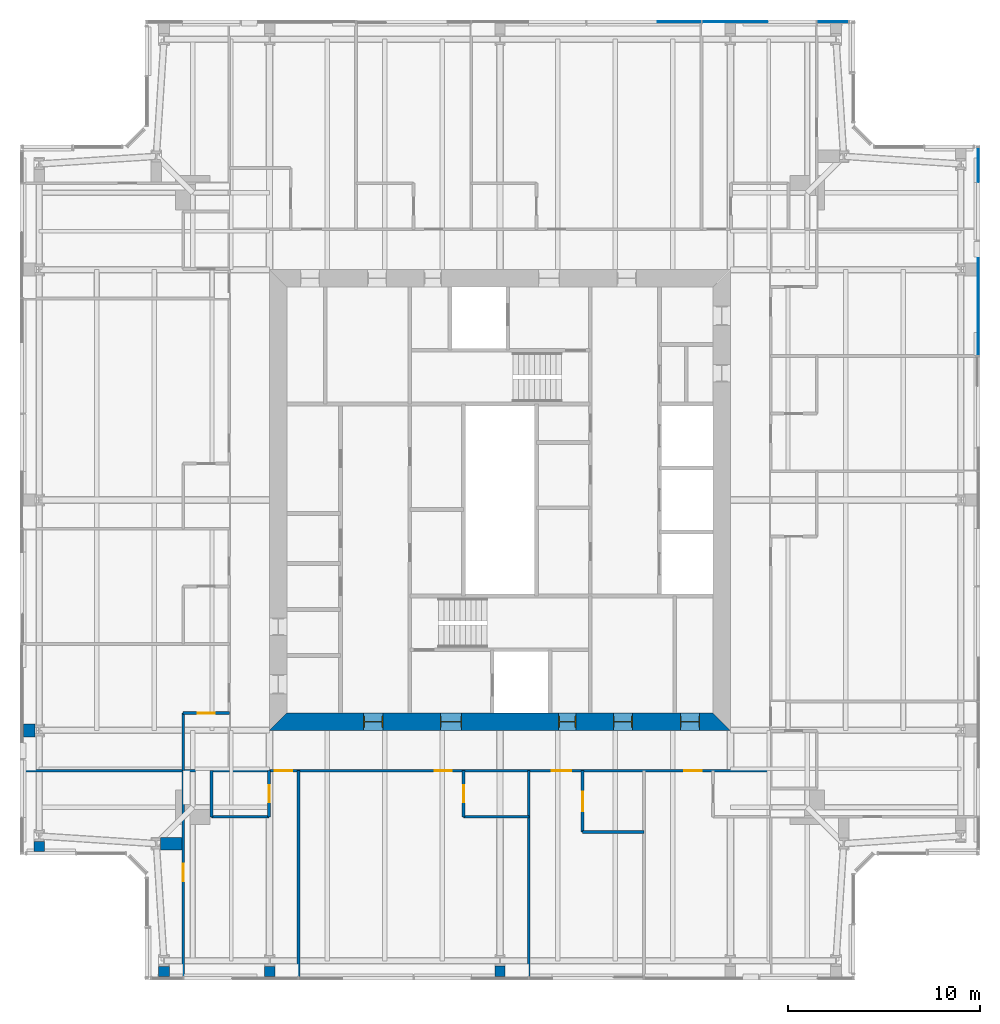
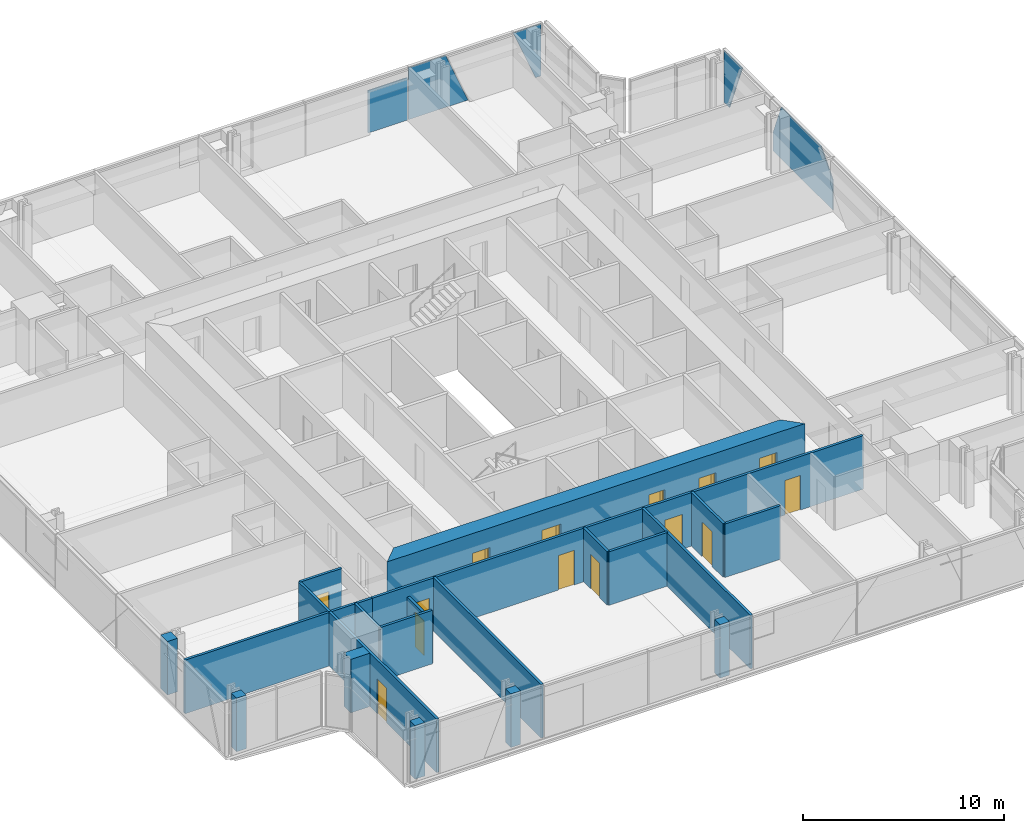
# One storey, part 11 of 20: 21 walls, 14 doors, 5 plates, 14 openings, 2 elements without a shape of their own.
"""IFC4 building model written with IfcOpenShell, lengths in metres."""

from ifc_helpers import new_model, si_unit, direction, frame, frame_2d, origin, place, context, subcontext, project, spatial, polyline, rectangle, outline, extrude, material, layer, layer_set, type_object, element, fill, aggregate, save


model = new_model("IFC4")

# Units and contexts
model_context = context("Model", 3, precision=1e-05, world=origin(), true_north=direction((0.0, 1.0)))
body_context = subcontext(model_context, "Body", "Model", "MODEL_VIEW")
ifc_project = project(units=[si_unit("LENGTHUNIT", "METRE"), si_unit("AREAUNIT", "SQUARE_METRE"), si_unit("VOLUMEUNIT", "CUBIC_METRE"), si_unit("PLANEANGLEUNIT", "RADIAN"), si_unit("MASSUNIT", "GRAM", prefix="KILO")], contexts=[model_context])

# Site, building, storey
site_placement = place(None, origin())
site = spatial("IfcSite", under=ifc_project, at=site_placement, CompositionType="ELEMENT")
building_placement = place(site_placement, origin())
building = spatial("IfcBuilding", under=site, at=building_placement, Name="Fenwick Lantern Interchange", CompositionType="ELEMENT")
storey_placement = place(building_placement, frame((0.0, 0.0, 259.39990234375)))
storey = spatial("IfcBuildingStorey", under=building, at=storey_placement, Name="L61", CompositionType="ELEMENT", Elevation=259.39990234375)

# Curtain wall, plates
ifc_material_1 = material(Name="Aluminium curtain wall frame", Category="aluminium")
curtain_wall_type = type_object("IfcCurtainWallType", Name="HOTEL CURTAIN WALL", PredefinedType="USERDEFINED", material=ifc_material_1)
curtain_wall_1_placement = place(storey_placement, origin())
curtain_wall_1 = element("IfcCurtainWall", 1, at=curtain_wall_1_placement, inside=storey, type_object=curtain_wall_type, Name="Hotel curtain wall 05", ObjectType="HOTEL CURTAIN WALL", PredefinedType="USERDEFINED")
ifc_material_2 = material(Name="Vision glass, acoustic laminated double glazed unit", Category="glass")
ifc_layer_1 = layer(ifc_material_2, 0.052001953125)
ifc_layer_set_1 = layer_set([ifc_layer_1], Name="HOTEL CURTAIN WALL PANEL 52")
plate_type = type_object("IfcPlateType", Name="HOTEL CURTAIN WALL PANEL 52", PredefinedType="CURTAIN_PANEL", material=ifc_layer_set_1)
plate_1_placement = place(storey_placement, frame((49.89990234375, 6.60009765625, 0.0), z_axis=(0.0, 0.0, 1.0), x_axis=(0.0, 1.0, 0.0)))
plate_1 = element("IfcPlate", 2, at=plate_1_placement, type_object=plate_type, Name="L61/CW/05/P05a", PredefinedType="CURTAIN_PANEL", context=body_context, shape_type="SweptSolid", body=[
    extrude(outline(polyline([(25.929931640625, 0.0), (31.8701171875, 0.0), (31.8701171875, 1.158203125), (31.064453125, 3.150146484375), (27.11474609375, 3.150146484375), (25.929931640625, 1.8076171875), (25.929931640625, 0.0)])), frame((0.0, 0.02587890625, 0.0), z_axis=(0.0, -1.0, 0.0), x_axis=(1.0, 0.0, 0.0)), (0.0, 0.0, 1.0), 0.052001953125),
])
plate_2_placement = place(storey_placement, frame((49.89990234375, 6.60009765625, 0.0), z_axis=(0.0, 0.0, 1.0), x_axis=(0.0, 1.0, 0.0)))
plate_2 = element("IfcPlate", 3, at=plate_2_placement, type_object=plate_type, Name="L61/CW/05/P06a", PredefinedType="CURTAIN_PANEL", context=body_context, shape_type="SweptSolid", body=[
    extrude(outline(polyline([(36.221435546875, 0.0), (36.739990234375, 0.0), (36.739990234375, 3.150146484375), (34.94775390625, 3.150146484375), (36.221435546875, 0.0)])), frame((0.0, 0.02587890625, 0.0), z_axis=(0.0, -1.0, 0.0), x_axis=(1.0, 0.0, 0.0)), (0.0, 0.0, 1.0), 0.052001953125),
])
aggregate(curtain_wall_1, [plate_1, plate_2])

curtain_wall_2_placement = place(storey_placement, origin())
curtain_wall_2 = element("IfcCurtainWall", 4, at=curtain_wall_2_placement, inside=storey, type_object=curtain_wall_type, Name="Hotel curtain wall 09", ObjectType="HOTEL CURTAIN WALL", PredefinedType="USERDEFINED")
plate_3_placement = place(storey_placement, frame((43.39990234375, 49.89990234375, 0.0), z_axis=(0.0, 0.0, 1.0), x_axis=(-1.0, 0.0, 0.0)))
plate_3 = element("IfcPlate", 5, at=plate_3_placement, type_object=plate_type, Name="L61/CW/09/P00a", PredefinedType="CURTAIN_PANEL", context=body_context, shape_type="SweptSolid", body=[
    extrude(outline(polyline([(0.260009765625, 0.0), (0.578369140625, 0.0), (1.852294921875, 3.150146484375), (0.260009765625, 3.150146484375), (0.260009765625, 0.0)])), frame((0.0, 0.02587890625, 0.0), z_axis=(0.0, -1.0, 0.0), x_axis=(1.0, 0.0, 0.0)), (0.0, 0.0, 1.0), 0.052001953125),
])
plate_4_placement = place(storey_placement, frame((43.39990234375, 49.89990234375, 0.0), z_axis=(0.0, 0.0, 1.0), x_axis=(-1.0, 0.0, 0.0)))
plate_4 = element("IfcPlate", 6, at=plate_4_placement, type_object=plate_type, Name="L61/CW/09/P01a", PredefinedType="CURTAIN_PANEL", context=body_context, shape_type="SweptSolid", body=[
    extrude(outline(polyline([(4.461669921875, 0.0), (7.8701171875, 0.0), (7.8701171875, 3.150146484375), (5.735595703125, 3.150146484375), (4.461669921875, 0.0)])), frame((0.0, 0.02587890625, 0.0), z_axis=(0.0, -1.0, 0.0), x_axis=(1.0, 0.0, 0.0)), (0.0, 0.0, 1.0), 0.052001953125),
])
plate_5_placement = place(storey_placement, frame((43.39990234375, 49.89990234375, 0.0), z_axis=(0.0, 0.0, 1.0), x_axis=(-1.0, 0.0, 0.0)))
plate_5 = element("IfcPlate", 7, at=plate_5_placement, type_object=plate_type, Name="L61/CW/09/P02a", PredefinedType="CURTAIN_PANEL", context=body_context, shape_type="SweptSolid", body=[
    extrude(outline(polyline([(7.929931640625, 0.0), (10.195068359375, 0.0), (10.195068359375, 2.572509765625), (7.929931640625, 2.572509765625), (7.929931640625, 0.0)])), frame((0.0, 0.02587890625, 0.0), z_axis=(0.0, -1.0, 0.0), x_axis=(1.0, 0.0, 0.0)), (0.0, 0.0, 1.0), 0.052001953125),
])
aggregate(curtain_wall_2, [plate_3, plate_4, plate_5])

# Walls
ifc_material_3 = material(Name="Fire-rated gypsum board encasement on steel studs, 2 hour", Category="steel")
ifc_layer_2 = layer(ifc_material_3, 0.5419921875)
ifc_layer_set_2 = layer_set([ifc_layer_2], Name="COLUMN PIER 542")
wall_type_1 = type_object("IfcWallType", Name="COLUMN PIER 542", PredefinedType="PARTITIONING", material=ifc_layer_set_2)
wall_1_placement = place(storey_placement, frame((25.0, 0.18994140625, 0.0), z_axis=(0.0, 0.0, 1.0), x_axis=(0.0, 1.0, 0.0)))
element("IfcWall", 8, at=wall_1_placement, inside=storey, type_object=wall_type_1, Name="L61/W/PIER/CS3", PredefinedType="PARTITIONING", context=body_context, shape_type="SweptSolid", body=[
    extrude(rectangle(XDim=0.544677734375, YDim=0.5419921875, at=frame_2d((0.2724609375, 0.0))), origin(), (0.0, 0.0, 1.0), 3.25),
])
ifc_layer_3 = layer(ifc_material_3, 0.554931640625)
ifc_layer_set_3 = layer_set([ifc_layer_3], Name="COLUMN PIER 555")
wall_type_2 = type_object("IfcWallType", Name="COLUMN PIER 555", PredefinedType="PARTITIONING", material=ifc_layer_set_3)
for number, where, z_axis, x_axis, name in (
    (9, (7.5, 0.18994140625, 0.0), (0.0, 0.0, 1.0), (0.0, 1.0, 0.0), "L61/W/PIER/CS1"),
    (10, (1.0, 6.68994140625, 0.0), (0.0, 0.0, 1.0), (0.0, 1.0, 0.0), "L61/W/PIER/CW5"),
    (11, (13.0, 0.18994140625, 0.0), (0.0, 0.0, 1.0), (0.0, 1.0, 0.0), "L61/W/PIER/CS2"),
):
    element("IfcWall", number, at=place(storey_placement, frame(where, z_axis=z_axis, x_axis=x_axis)), inside=storey, type_object=wall_type_2, Name=name, PredefinedType="PARTITIONING", context=body_context, shape_type="SweptSolid", body=[
        extrude(rectangle(XDim=0.525634765625, YDim=0.554931640625, at=frame_2d((0.2626953125, 0.0))), origin(), (0.0, 0.0, 1.0), 3.25),
    ])
ifc_layer_4 = layer(ifc_material_3, 0.6689453125)
ifc_layer_set_4 = layer_set([ifc_layer_4], Name="COLUMN PIER 669")
wall_type_3 = type_object("IfcWallType", Name="COLUMN PIER 669", PredefinedType="PARTITIONING", material=ifc_layer_set_4)
wall_2_placement = place(storey_placement, frame((8.425048828125, 7.10009765625, 0.0), z_axis=(0.0, 0.0, 1.0), x_axis=(-1.0, 0.0, 0.0)))
element("IfcWall", 12, at=wall_2_placement, inside=storey, type_object=wall_type_3, Name="L61/W/PIER/CWR", PredefinedType="PARTITIONING", context=body_context, shape_type="SweptSolid", body=[
    extrude(rectangle(XDim=1.09765625, YDim=0.6689453125, at=frame_2d((0.548828125, 0.0))), origin(), (0.0, 0.0, 1.0), 3.25),
])
wall_3_placement = place(storey_placement, frame((0.18994140625, 13.0, 0.0), z_axis=(0.0, 0.0, 1.0), x_axis=(1.0, 0.0, 0.0)))
element("IfcWall", 13, at=wall_3_placement, inside=storey, type_object=wall_type_3, Name="L61/W/PIER/CW4", PredefinedType="PARTITIONING", context=body_context, shape_type="SweptSolid", body=[
    extrude(rectangle(XDim=0.582763671875, YDim=0.6689453125, at=frame_2d((0.29150390625, 0.0))), origin(), (0.0, 0.0, 1.0), 3.25),
])

# Wall, openings, doors
ifc_material_4 = material(Name="Concrete f'c 70 MPa", Category="concrete")
ifc_layer_5 = layer(ifc_material_4, 0.89990234375)
ifc_layer_set_5 = layer_set([ifc_layer_5], Name="CORE WALL 900")
wall_type_4 = type_object("IfcWallType", Name="CORE WALL 900", PredefinedType="SHEAR", material=ifc_layer_set_5)
wall_4_placement = place(storey_placement, frame((13.0, 13.449951171875, 0.0), z_axis=(0.0, 0.0, 1.0), x_axis=(1.0, 0.0, 0.0)))
wall_4 = element("IfcWall", 14, at=wall_4_placement, inside=storey, type_object=wall_type_4, Name="L61/CORE/S", PredefinedType="SHEAR", context=body_context, shape_type="SweptSolid", body=[
    extrude(outline(polyline([(0.0, -0.449951171875), (24.0, -0.449951171875), (23.10009765625, 0.449951171875), (0.89990234375, 0.449951171875), (0.0, -0.449951171875)])), origin(), (0.0, 0.0, 1.0), 3.400146484375),
])
opening_1_placement = place(wall_4_placement, frame((4.89990234375, 0.0, 0.0)))
opening_1 = element("IfcOpeningElement", 15, at=opening_1_placement, cuts=wall_4, Name="Opening L61-D001", PredefinedType="OPENING", context=body_context, shape_type="SweptSolid", body=[
    extrude(rectangle(XDim=1.0, YDim=2.199951171875, at=frame_2d((0.5, 1.10009765625))), frame((0.0, 0.4599609375, 0.0), z_axis=(0.0, -1.0, 0.0), x_axis=(1.0, 0.0, 0.0)), (0.0, 0.0, 1.0), 0.919921875),
])
opening_2_placement = place(wall_4_placement, frame((8.89990234375, 0.0, 0.0)))
opening_2 = element("IfcOpeningElement", 16, at=opening_2_placement, cuts=wall_4, Name="Opening L61-D002", PredefinedType="OPENING", context=body_context, shape_type="SweptSolid", body=[
    extrude(rectangle(XDim=1.10009765625, YDim=2.199951171875, at=frame_2d((0.550048828125, 1.10009765625))), frame((0.0, 0.4599609375, 0.0), z_axis=(0.0, -1.0, 0.0), x_axis=(1.0, 0.0, 0.0)), (0.0, 0.0, 1.0), 0.919921875),
])
opening_3_placement = place(wall_4_placement, frame((15.050048828125, 0.0, 0.0)))
opening_3 = element("IfcOpeningElement", 17, at=opening_3_placement, cuts=wall_4, Name="Opening L61-D004", PredefinedType="OPENING", context=body_context, shape_type="SweptSolid", body=[
    extrude(rectangle(XDim=0.89990234375, YDim=2.199951171875, at=frame_2d((0.449951171875, 1.10009765625))), frame((0.0, 0.4599609375, 0.0), z_axis=(0.0, -1.0, 0.0), x_axis=(1.0, 0.0, 0.0)), (0.0, 0.0, 1.0), 0.919921875),
])
opening_4_placement = place(wall_4_placement, frame((17.89990234375, 0.0, 0.0)))
opening_4 = element("IfcOpeningElement", 18, at=opening_4_placement, cuts=wall_4, Name="Opening L61-D005", PredefinedType="OPENING", context=body_context, shape_type="SweptSolid", body=[
    extrude(rectangle(XDim=1.0, YDim=2.199951171875, at=frame_2d((0.5, 1.10009765625))), frame((0.0, 0.4599609375, 0.0), z_axis=(0.0, -1.0, 0.0), x_axis=(1.0, 0.0, 0.0)), (0.0, 0.0, 1.0), 0.919921875),
])
opening_5_placement = place(wall_4_placement, frame((21.39990234375, 0.0, 0.0)))
opening_5 = element("IfcOpeningElement", 19, at=opening_5_placement, cuts=wall_4, Name="Opening L61-D006", PredefinedType="OPENING", context=body_context, shape_type="SweptSolid", body=[
    extrude(rectangle(XDim=1.0, YDim=2.199951171875, at=frame_2d((0.5, 1.10009765625))), frame((0.0, 0.4599609375, 0.0), z_axis=(0.0, -1.0, 0.0), x_axis=(1.0, 0.0, 0.0)), (0.0, 0.0, 1.0), 0.919921875),
])
ifc_material_5 = material(Name="Steel door and frame", Category="steel")
door_type_1 = type_object("IfcDoorType", Name="CORE LOBBY DOOR 1000 X 2200", OperationType="SINGLE_SWING_LEFT", PredefinedType="DOOR", material=ifc_material_5)
door_1_placement = place(opening_1_placement, origin())
door_1 = element("IfcDoor", 20, at=door_1_placement, inside=storey, type_object=door_type_1, Name="Core lobby door", OperationType="SINGLE_SWING_LEFT", OverallHeight=2.199951171875, OverallWidth=1.0, PredefinedType="DOOR", context=body_context, shape_type="SweptSolid", body=[
    extrude(rectangle(XDim=1.0, YDim=2.199951171875, at=frame_2d((0.5, 1.10009765625))), frame((0.0, 0.02490234375, 0.0), z_axis=(0.0, -1.0, 0.0), x_axis=(1.0, 0.0, 0.0)), (0.0, 0.0, 1.0), 0.050048828125),
    extrude(outline(polyline([(0.0, 0.0), (0.0400390625, 0.0), (0.0400390625, 2.159912109375), (0.9599609375, 2.159912109375), (0.9599609375, 0.0), (1.0, 0.0), (1.0, 2.199951171875), (0.0, 2.199951171875), (0.0, 0.0)])), frame((0.0, 0.300048828125, 0.0), z_axis=(0.0, -1.0, 0.0), x_axis=(1.0, 0.0, 0.0)), (0.0, 0.0, 1.0), 0.60009765625),
])
fill(opening_1, door_1)
door_type_2 = type_object("IfcDoorType", Name="FIRE LOBBY DOOR 1100 X 2200", OperationType="SINGLE_SWING_LEFT", PredefinedType="DOOR", material=ifc_material_5)
door_2_placement = place(opening_2_placement, origin())
door_2 = element("IfcDoor", 21, at=door_2_placement, inside=storey, type_object=door_type_2, Name="Fire lobby door", OperationType="SINGLE_SWING_LEFT", OverallHeight=2.199951171875, OverallWidth=1.10009765625, PredefinedType="DOOR", context=body_context, shape_type="SweptSolid", body=[
    extrude(rectangle(XDim=1.10009765625, YDim=2.199951171875, at=frame_2d((0.550048828125, 1.10009765625))), frame((0.0, 0.02490234375, 0.0), z_axis=(0.0, -1.0, 0.0), x_axis=(1.0, 0.0, 0.0)), (0.0, 0.0, 1.0), 0.050048828125),
    extrude(outline(polyline([(0.0, 0.0), (0.0400390625, 0.0), (0.0400390625, 2.159912109375), (1.06005859375, 2.159912109375), (1.06005859375, 0.0), (1.10009765625, 0.0), (1.10009765625, 2.199951171875), (0.0, 2.199951171875), (0.0, 0.0)])), frame((0.0, 0.300048828125, 0.0), z_axis=(0.0, -1.0, 0.0), x_axis=(1.0, 0.0, 0.0)), (0.0, 0.0, 1.0), 0.60009765625),
])
fill(opening_2, door_2)
door_type_3 = type_object("IfcDoorType", Name="SERVICE DOOR 900 X 2200", OperationType="SINGLE_SWING_LEFT", PredefinedType="DOOR", material=ifc_material_5)
door_3_placement = place(opening_3_placement, origin())
door_3 = element("IfcDoor", 22, at=door_3_placement, inside=storey, type_object=door_type_3, Name="Service door", OperationType="SINGLE_SWING_LEFT", OverallHeight=2.199951171875, OverallWidth=0.89990234375, PredefinedType="DOOR", context=body_context, shape_type="SweptSolid", body=[
    extrude(rectangle(XDim=0.89990234375, YDim=2.199951171875, at=frame_2d((0.449951171875, 1.10009765625))), frame((0.0, 0.02490234375, 0.0), z_axis=(0.0, -1.0, 0.0), x_axis=(1.0, 0.0, 0.0)), (0.0, 0.0, 1.0), 0.050048828125),
    extrude(outline(polyline([(0.0, 0.0), (0.0400390625, 0.0), (0.0400390625, 2.159912109375), (0.85986328125, 2.159912109375), (0.85986328125, 0.0), (0.89990234375, 0.0), (0.89990234375, 2.199951171875), (0.0, 2.199951171875), (0.0, 0.0)])), frame((0.0, 0.300048828125, 0.0), z_axis=(0.0, -1.0, 0.0), x_axis=(1.0, 0.0, 0.0)), (0.0, 0.0, 1.0), 0.60009765625),
])
fill(opening_3, door_3)
ifc_material_6 = material(Name="Hardwood door and steel frame", Category="steel")
door_type_4 = type_object("IfcDoorType", Name="WC DOOR 1000 X 2200", OperationType="SINGLE_SWING_LEFT", PredefinedType="DOOR", material=ifc_material_6)
door_4_placement = place(opening_4_placement, origin())
door_4 = element("IfcDoor", 23, at=door_4_placement, inside=storey, type_object=door_type_4, Name="Wc door", OperationType="SINGLE_SWING_LEFT", OverallHeight=2.199951171875, OverallWidth=1.0, PredefinedType="DOOR", context=body_context, shape_type="SweptSolid", body=[
    extrude(rectangle(XDim=1.0, YDim=2.199951171875, at=frame_2d((0.5, 1.10009765625))), frame((0.0, 0.02490234375, 0.0), z_axis=(0.0, -1.0, 0.0), x_axis=(1.0, 0.0, 0.0)), (0.0, 0.0, 1.0), 0.050048828125),
    extrude(outline(polyline([(0.0, 0.0), (0.0400390625, 0.0), (0.0400390625, 2.159912109375), (0.9599609375, 2.159912109375), (0.9599609375, 0.0), (1.0, 0.0), (1.0, 2.199951171875), (0.0, 2.199951171875), (0.0, 0.0)])), frame((0.0, 0.300048828125, 0.0), z_axis=(0.0, -1.0, 0.0), x_axis=(1.0, 0.0, 0.0)), (0.0, 0.0, 1.0), 0.60009765625),
])
fill(opening_4, door_4)
door_5_placement = place(opening_5_placement, origin())
door_5 = element("IfcDoor", 24, at=door_5_placement, inside=storey, type_object=door_type_4, Name="Wc door", OperationType="SINGLE_SWING_LEFT", OverallHeight=2.199951171875, OverallWidth=1.0, PredefinedType="DOOR", context=body_context, shape_type="SweptSolid", body=[
    extrude(rectangle(XDim=1.0, YDim=2.199951171875, at=frame_2d((0.5, 1.10009765625))), frame((0.0, 0.02490234375, 0.0), z_axis=(0.0, -1.0, 0.0), x_axis=(1.0, 0.0, 0.0)), (0.0, 0.0, 1.0), 0.050048828125),
    extrude(outline(polyline([(0.0, 0.0), (0.0400390625, 0.0), (0.0400390625, 2.159912109375), (0.9599609375, 2.159912109375), (0.9599609375, 0.0), (1.0, 0.0), (1.0, 2.199951171875), (0.0, 2.199951171875), (0.0, 0.0)])), frame((0.0, 0.300048828125, 0.0), z_axis=(0.0, -1.0, 0.0), x_axis=(1.0, 0.0, 0.0)), (0.0, 0.0, 1.0), 0.60009765625),
])
fill(opening_5, door_5)

ifc_material_7 = material(Name="Gypsum board on steel studs, 1 hour", Category="steel")
ifc_layer_6 = layer(ifc_material_7, 0.14990234375)
ifc_layer_set_6 = layer_set([ifc_layer_6], Name="CORRIDOR WALL 150")
wall_type_5 = type_object("IfcWallType", Name="CORRIDOR WALL 150", PredefinedType="PARTITIONING", material=ifc_layer_set_6)
wall_5_placement = place(storey_placement, frame((10.89990234375, 10.89990234375, 0.0), z_axis=(0.0, 0.0, 1.0), x_axis=(1.0, 0.0, 0.0)))
wall_5 = element("IfcWall", 25, at=wall_5_placement, inside=storey, type_object=wall_type_5, Name="L61/W/HOTEL/S/CW", PredefinedType="PARTITIONING", context=body_context, shape_type="SweptSolid", body=[
    extrude(rectangle(XDim=28.2001953125, YDim=0.14990234375, at=frame_2d((14.10009765625, 0.0))), origin(), (0.0, 0.0, 1.0), 3.25),
])
opening_6_placement = place(wall_5_placement, frame((2.375, 0.0, 0.0)))
opening_6 = element("IfcOpeningElement", 26, at=opening_6_placement, cuts=wall_5, Name="Opening L61-D028", PredefinedType="OPENING", context=body_context, shape_type="SweptSolid", body=[
    extrude(rectangle(XDim=0.89990234375, YDim=2.10009765625, at=frame_2d((0.449951171875, 1.050048828125))), frame((0.0, 0.0849609375, 0.0), z_axis=(0.0, -1.0, 0.0), x_axis=(1.0, 0.0, 0.0)), (0.0, 0.0, 1.0), 0.169921875),
])
opening_7_placement = place(wall_5_placement, frame((10.699951171875, 0.0, 0.0)))
opening_7 = element("IfcOpeningElement", 27, at=opening_7_placement, cuts=wall_5, Name="Opening L61-D030", PredefinedType="OPENING", context=body_context, shape_type="SweptSolid", body=[
    extrude(rectangle(XDim=0.89990234375, YDim=2.10009765625, at=frame_2d((0.449951171875, 1.050048828125))), frame((0.0, 0.0849609375, 0.0), z_axis=(0.0, -1.0, 0.0), x_axis=(1.0, 0.0, 0.0)), (0.0, 0.0, 1.0), 0.169921875),
])
opening_8_placement = place(wall_5_placement, frame((16.800048828125, 0.0, 0.0)))
opening_8 = element("IfcOpeningElement", 28, at=opening_8_placement, cuts=wall_5, Name="Opening L61-D032", PredefinedType="OPENING", context=body_context, shape_type="SweptSolid", body=[
    extrude(rectangle(XDim=1.0, YDim=2.10009765625, at=frame_2d((0.5, 1.050048828125))), frame((0.0, 0.0849609375, 0.0), z_axis=(0.0, -1.0, 0.0), x_axis=(1.0, 0.0, 0.0)), (0.0, 0.0, 1.0), 0.169921875),
])
opening_9_placement = place(wall_5_placement, frame((23.699951171875, 0.0, 0.0)))
opening_9 = element("IfcOpeningElement", 29, at=opening_9_placement, cuts=wall_5, Name="Opening L61-D034", PredefinedType="OPENING", context=body_context, shape_type="SweptSolid", body=[
    extrude(rectangle(XDim=0.89990234375, YDim=2.10009765625, at=frame_2d((0.449951171875, 1.050048828125))), frame((0.0, 0.0849609375, 0.0), z_axis=(0.0, -1.0, 0.0), x_axis=(1.0, 0.0, 0.0)), (0.0, 0.0, 1.0), 0.169921875),
])
door_type_5 = type_object("IfcDoorType", Name="GUEST ROOM DOOR 1000 X 2100", OperationType="SINGLE_SWING_LEFT", PredefinedType="DOOR", material=ifc_material_5)
door_6_placement = place(opening_8_placement, frame((1.0, 0.0, 0.0), z_axis=(0.0, 0.0, 1.0), x_axis=(-1.0, 0.0, 0.0)))
door_6 = element("IfcDoor", 30, at=door_6_placement, inside=storey, type_object=door_type_5, Name="Guest room door", OperationType="SINGLE_SWING_LEFT", OverallHeight=2.10009765625, OverallWidth=1.0, PredefinedType="DOOR", context=body_context, shape_type="SweptSolid", body=[
    extrude(rectangle(XDim=1.0, YDim=2.10009765625, at=frame_2d((0.5, 1.050048828125))), frame((0.0, 0.02490234375, 0.0), z_axis=(0.0, -1.0, 0.0), x_axis=(1.0, 0.0, 0.0)), (0.0, 0.0, 1.0), 0.050048828125),
])
fill(opening_8, door_6)
door_type_6 = type_object("IfcDoorType", Name="GUEST ROOM DOOR 900 X 2100", OperationType="SINGLE_SWING_LEFT", PredefinedType="DOOR", material=ifc_material_5)
door_7_placement = place(opening_6_placement, frame((0.89990234375, 0.0, 0.0), z_axis=(0.0, 0.0, 1.0), x_axis=(-1.0, 0.0, 0.0)))
door_7 = element("IfcDoor", 31, at=door_7_placement, inside=storey, type_object=door_type_6, Name="Guest room door", OperationType="SINGLE_SWING_RIGHT", OverallHeight=2.10009765625, OverallWidth=0.89990234375, PredefinedType="DOOR", context=body_context, shape_type="SweptSolid", body=[
    extrude(rectangle(XDim=0.89990234375, YDim=2.10009765625, at=frame_2d((0.449951171875, 1.050048828125))), frame((0.0, 0.02490234375, 0.0), z_axis=(0.0, -1.0, 0.0), x_axis=(1.0, 0.0, 0.0)), (0.0, 0.0, 1.0), 0.050048828125),
])
fill(opening_6, door_7)
door_8_placement = place(opening_7_placement, frame((0.89990234375, 0.0, 0.0), z_axis=(0.0, 0.0, 1.0), x_axis=(-1.0, 0.0, 0.0)))
door_8 = element("IfcDoor", 32, at=door_8_placement, inside=storey, type_object=door_type_6, Name="Guest room door", OperationType="SINGLE_SWING_LEFT", OverallHeight=2.10009765625, OverallWidth=0.89990234375, PredefinedType="DOOR", context=body_context, shape_type="SweptSolid", body=[
    extrude(rectangle(XDim=0.89990234375, YDim=2.10009765625, at=frame_2d((0.449951171875, 1.050048828125))), frame((0.0, 0.02490234375, 0.0), z_axis=(0.0, -1.0, 0.0), x_axis=(1.0, 0.0, 0.0)), (0.0, 0.0, 1.0), 0.050048828125),
])
fill(opening_7, door_8)
door_9_placement = place(opening_9_placement, frame((0.89990234375, 0.0, 0.0), z_axis=(0.0, 0.0, 1.0), x_axis=(-1.0, 0.0, 0.0)))
door_9 = element("IfcDoor", 33, at=door_9_placement, inside=storey, type_object=door_type_6, Name="Guest room door", OperationType="SINGLE_SWING_LEFT", OverallHeight=2.10009765625, OverallWidth=0.89990234375, PredefinedType="DOOR", context=body_context, shape_type="SweptSolid", body=[
    extrude(rectangle(XDim=0.89990234375, YDim=2.10009765625, at=frame_2d((0.449951171875, 1.050048828125))), frame((0.0, 0.02490234375, 0.0), z_axis=(0.0, -1.0, 0.0), x_axis=(1.0, 0.0, 0.0)), (0.0, 0.0, 1.0), 0.050048828125),
])
fill(opening_9, door_9)

# Wall
ifc_material_8 = material(Name="Gypsum board on steel studs, moisture resistant", Category="steel")
ifc_layer_7 = layer(ifc_material_8, 0.14990234375)
ifc_layer_set_7 = layer_set([ifc_layer_7], Name="EN-SUITE WALL 150")
wall_type_6 = type_object("IfcWallType", Name="EN-SUITE WALL 150", PredefinedType="PARTITIONING", material=ifc_layer_set_7)
wall_6_placement = place(storey_placement, frame((9.97509765625, 8.5, 0.0), z_axis=(0.0, 0.0, 1.0), x_axis=(1.0, 0.0, 0.0)))
element("IfcWall", 34, at=wall_6_placement, inside=storey, type_object=wall_type_6, Name="L61/W/HOTEL/S/U1BW", PredefinedType="PARTITIONING", context=body_context, shape_type="SweptSolid", body=[
    extrude(rectangle(XDim=3.0, YDim=0.14990234375, at=frame_2d((1.5, 0.0))), origin(), (0.0, 0.0, 1.0), 3.25),
])

# Wall, opening, door
wall_7_placement = place(storey_placement, frame((12.97509765625, 8.5, 0.0), z_axis=(0.0, 0.0, 1.0), x_axis=(0.0, 1.0, 0.0)))
wall_7 = element("IfcWall", 35, at=wall_7_placement, inside=storey, type_object=wall_type_6, Name="L61/W/HOTEL/S/U1BX", PredefinedType="PARTITIONING", context=body_context, shape_type="SweptSolid", body=[
    extrude(rectangle(XDim=2.39990234375, YDim=0.14990234375, at=frame_2d((1.199951171875, 0.0))), origin(), (0.0, 0.0, 1.0), 2.627685546875),
])
opening_10_placement = place(wall_7_placement, frame((0.75, 0.0, 0.0)))
opening_10 = element("IfcOpeningElement", 36, at=opening_10_placement, cuts=wall_7, Name="Opening L61-D026", PredefinedType="OPENING", context=body_context, shape_type="SweptSolid", body=[
    extrude(rectangle(XDim=0.89990234375, YDim=2.10009765625, at=frame_2d((0.449951171875, 1.050048828125))), frame((0.0, 0.0849609375, 0.0), z_axis=(0.0, -1.0, 0.0), x_axis=(1.0, 0.0, 0.0)), (0.0, 0.0, 1.0), 0.169921875),
])
door_type_7 = type_object("IfcDoorType", Name="EN-SUITE DOOR 900 X 2100", OperationType="SINGLE_SWING_LEFT", PredefinedType="DOOR", material=ifc_material_6)
door_10_placement = place(opening_10_placement, origin())
door_10 = element("IfcDoor", 37, at=door_10_placement, inside=storey, type_object=door_type_7, Name="En-suite door", OperationType="SINGLE_SWING_LEFT", OverallHeight=2.10009765625, OverallWidth=0.89990234375, PredefinedType="DOOR", context=body_context, shape_type="SweptSolid", body=[
    extrude(rectangle(XDim=0.89990234375, YDim=2.10009765625, at=frame_2d((0.449951171875, 1.050048828125))), frame((0.0, 0.02490234375, 0.0), z_axis=(0.0, -1.0, 0.0), x_axis=(1.0, 0.0, 0.0)), (0.0, 0.0, 1.0), 0.050048828125),
])
fill(opening_10, door_10)

# Walls
wall_8_placement = place(storey_placement, frame((9.97509765625, 8.5, 0.0), z_axis=(0.0, 0.0, 1.0), x_axis=(0.0, 1.0, 0.0)))
element("IfcWall", 38, at=wall_8_placement, inside=storey, type_object=wall_type_6, Name="L61/W/HOTEL/S/U1BV", PredefinedType="PARTITIONING", context=body_context, shape_type="SweptSolid", body=[
    extrude(rectangle(XDim=2.39990234375, YDim=0.14990234375, at=frame_2d((1.199951171875, 0.0))), origin(), (0.0, 0.0, 1.0), 3.25),
])
wall_9_placement = place(storey_placement, frame((23.10009765625, 8.5, 0.0), z_axis=(0.0, 0.0, 1.0), x_axis=(1.0, 0.0, 0.0)))
element("IfcWall", 39, at=wall_9_placement, inside=storey, type_object=wall_type_6, Name="L61/W/HOTEL/S/U2BW", PredefinedType="PARTITIONING", context=body_context, shape_type="SweptSolid", body=[
    extrude(rectangle(XDim=3.39990234375, YDim=0.14990234375, at=frame_2d((1.699951171875, 0.0))), origin(), (0.0, 0.0, 1.0), 3.25),
])

# Wall, opening, door
wall_10_placement = place(storey_placement, frame((23.10009765625, 8.5, 0.0), z_axis=(0.0, 0.0, 1.0), x_axis=(0.0, 1.0, 0.0)))
wall_10 = element("IfcWall", 40, at=wall_10_placement, inside=storey, type_object=wall_type_6, Name="L61/W/HOTEL/S/U2BX", PredefinedType="PARTITIONING", context=body_context, shape_type="SweptSolid", body=[
    extrude(rectangle(XDim=2.39990234375, YDim=0.14990234375, at=frame_2d((1.199951171875, 0.0))), origin(), (0.0, 0.0, 1.0), 3.25),
])
opening_11_placement = place(wall_10_placement, frame((0.75, 0.0, 0.0)))
opening_11 = element("IfcOpeningElement", 41, at=opening_11_placement, cuts=wall_10, Name="Opening L61-D029", PredefinedType="OPENING", context=body_context, shape_type="SweptSolid", body=[
    extrude(rectangle(XDim=0.89990234375, YDim=2.10009765625, at=frame_2d((0.449951171875, 1.050048828125))), frame((0.0, 0.0849609375, 0.0), z_axis=(0.0, -1.0, 0.0), x_axis=(1.0, 0.0, 0.0)), (0.0, 0.0, 1.0), 0.169921875),
])
door_11_placement = place(opening_11_placement, frame((0.89990234375, 0.0, 0.0), z_axis=(0.0, 0.0, 1.0), x_axis=(-1.0, 0.0, 0.0)))
door_11 = element("IfcDoor", 42, at=door_11_placement, inside=storey, type_object=door_type_7, Name="En-suite door", OperationType="SINGLE_SWING_RIGHT", OverallHeight=2.10009765625, OverallWidth=0.89990234375, PredefinedType="DOOR", context=body_context, shape_type="SweptSolid", body=[
    extrude(rectangle(XDim=0.89990234375, YDim=2.10009765625, at=frame_2d((0.449951171875, 1.050048828125))), frame((0.0, 0.02490234375, 0.0), z_axis=(0.0, -1.0, 0.0), x_axis=(1.0, 0.0, 0.0)), (0.0, 0.0, 1.0), 0.050048828125),
])
fill(opening_11, door_11)

# Wall
wall_11_placement = place(storey_placement, frame((29.300048828125, 7.699951171875, 0.0), z_axis=(0.0, 0.0, 1.0), x_axis=(1.0, 0.0, 0.0)))
element("IfcWall", 43, at=wall_11_placement, inside=storey, type_object=wall_type_6, Name="L61/W/HOTEL/S/U3BW", PredefinedType="PARTITIONING", context=body_context, shape_type="SweptSolid", body=[
    extrude(rectangle(XDim=3.199951171875, YDim=0.14990234375, at=frame_2d((1.60009765625, 0.0))), origin(), (0.0, 0.0, 1.0), 3.25),
])

# Wall, opening, door
wall_12_placement = place(storey_placement, frame((29.300048828125, 7.699951171875, 0.0), z_axis=(0.0, 0.0, 1.0), x_axis=(0.0, 1.0, 0.0)))
wall_12 = element("IfcWall", 44, at=wall_12_placement, inside=storey, type_object=wall_type_6, Name="L61/W/HOTEL/S/U3BX", PredefinedType="PARTITIONING", context=body_context, shape_type="SweptSolid", body=[
    extrude(rectangle(XDim=3.199951171875, YDim=0.14990234375, at=frame_2d((1.60009765625, 0.0))), origin(), (0.0, 0.0, 1.0), 3.25),
])
opening_12_placement = place(wall_12_placement, frame((1.10009765625, 0.0, 0.0)))
opening_12 = element("IfcOpeningElement", 45, at=opening_12_placement, cuts=wall_12, Name="Opening L61-D031", PredefinedType="OPENING", context=body_context, shape_type="SweptSolid", body=[
    extrude(rectangle(XDim=1.0, YDim=2.10009765625, at=frame_2d((0.5, 1.050048828125))), frame((0.0, 0.0849609375, 0.0), z_axis=(0.0, -1.0, 0.0), x_axis=(1.0, 0.0, 0.0)), (0.0, 0.0, 1.0), 0.169921875),
])
door_type_8 = type_object("IfcDoorType", Name="EN-SUITE DOOR 1000 X 2100", OperationType="SINGLE_SWING_LEFT", PredefinedType="DOOR", material=ifc_material_6)
door_12_placement = place(opening_12_placement, frame((1.0, 0.0, 0.0), z_axis=(0.0, 0.0, 1.0), x_axis=(-1.0, 0.0, 0.0)))
door_12 = element("IfcDoor", 46, at=door_12_placement, inside=storey, type_object=door_type_8, Name="En-suite door", OperationType="SINGLE_SWING_RIGHT", OverallHeight=2.10009765625, OverallWidth=1.0, PredefinedType="DOOR", context=body_context, shape_type="SweptSolid", body=[
    extrude(rectangle(XDim=1.0, YDim=2.10009765625, at=frame_2d((0.5, 1.050048828125))), frame((0.0, 0.02490234375, 0.0), z_axis=(0.0, -1.0, 0.0), x_axis=(1.0, 0.0, 0.0)), (0.0, 0.0, 1.0), 0.050048828125),
])
fill(opening_12, door_12)

# Wall
wall_13_placement = place(storey_placement, frame((8.5, 13.89990234375, 0.0), z_axis=(0.0, 0.0, 1.0), x_axis=(0.0, -1.0, 0.0)))
element("IfcWall", 47, at=wall_13_placement, inside=storey, type_object=wall_type_6, Name="L61/W/HOTEL/W/U4BW", PredefinedType="PARTITIONING", context=body_context, shape_type="SweptSolid", body=[
    extrude(rectangle(XDim=3.0, YDim=0.14990234375, at=frame_2d((1.5, 0.0))), origin(), (0.0, 0.0, 1.0), 3.25),
])

# Wall, opening, door
wall_14_placement = place(storey_placement, frame((8.5, 13.89990234375, 0.0), z_axis=(0.0, 0.0, 1.0), x_axis=(1.0, 0.0, 0.0)))
wall_14 = element("IfcWall", 48, at=wall_14_placement, inside=storey, type_object=wall_type_6, Name="L61/W/HOTEL/W/U4BX", PredefinedType="PARTITIONING", context=body_context, shape_type="SweptSolid", body=[
    extrude(rectangle(XDim=2.39990234375, YDim=0.14990234375, at=frame_2d((1.199951171875, 0.0))), origin(), (0.0, 0.0, 1.0), 3.25),
])
opening_13_placement = place(wall_14_placement, frame((0.75, 0.0, 0.0)))
opening_13 = element("IfcOpeningElement", 49, at=opening_13_placement, cuts=wall_14, Name="Opening L61-D060", PredefinedType="OPENING", context=body_context, shape_type="SweptSolid", body=[
    extrude(rectangle(XDim=0.89990234375, YDim=2.10009765625, at=frame_2d((0.449951171875, 1.050048828125))), frame((0.0, 0.0849609375, 0.0), z_axis=(0.0, -1.0, 0.0), x_axis=(1.0, 0.0, 0.0)), (0.0, 0.0, 1.0), 0.169921875),
])
door_13_placement = place(opening_13_placement, frame((0.89990234375, 0.0, 0.0), z_axis=(0.0, 0.0, 1.0), x_axis=(-1.0, 0.0, 0.0)))
door_13 = element("IfcDoor", 50, at=door_13_placement, inside=storey, type_object=door_type_7, Name="En-suite door", OperationType="SINGLE_SWING_RIGHT", OverallHeight=2.10009765625, OverallWidth=0.89990234375, PredefinedType="DOOR", context=body_context, shape_type="SweptSolid", body=[
    extrude(rectangle(XDim=0.89990234375, YDim=2.10009765625, at=frame_2d((0.449951171875, 1.050048828125))), frame((0.0, 0.02490234375, 0.0), z_axis=(0.0, -1.0, 0.0), x_axis=(1.0, 0.0, 0.0)), (0.0, 0.0, 1.0), 0.050048828125),
])
fill(opening_13, door_13)

# Walls
ifc_material_9 = material(Name="Gypsum board on steel studs, 1 hour acoustic", Category="steel")
ifc_layer_8 = layer(ifc_material_9, 0.14990234375)
ifc_layer_set_8 = layer_set([ifc_layer_8], Name="PARTY WALL 150")
wall_type_7 = type_object("IfcWallType", Name="PARTY WALL 150", PredefinedType="PARTITIONING", material=ifc_layer_set_8)
for number, where, z_axis, x_axis, name in (
    (51, (0.14990234375, 10.89990234375, 0.0), (0.0, 0.0, 1.0), (1.0, 0.0, 0.0), "L61/W/HOTEL/S/SW3"),
    (52, (14.5, 0.14990234375, 0.0), (0.0, 0.0, 1.0), (0.0, 1.0, 0.0), "L61/W/HOTEL/S/U2PW"),
    (53, (26.5, 0.14990234375, 0.0), (0.0, 0.0, 1.0), (0.0, 1.0, 0.0), "L61/W/HOTEL/S/U3PW"),
):
    element("IfcWall", number, at=place(storey_placement, frame(where, z_axis=z_axis, x_axis=x_axis)), inside=storey, type_object=wall_type_7, Name=name, PredefinedType="PARTITIONING", context=body_context, shape_type="SweptSolid", body=[
        extrude(rectangle(XDim=10.75, YDim=0.14990234375, at=frame_2d((5.375, 0.0))), origin(), (0.0, 0.0, 1.0), 3.25),
    ])

# Wall, opening, door
ifc_material_10 = material(Name="Gypsum board on steel studs, acoustic", Category="steel")
ifc_layer_9 = layer(ifc_material_10, 0.14990234375)
ifc_layer_set_9 = layer_set([ifc_layer_9], Name="SUITE PARTITION 150")
wall_type_8 = type_object("IfcWallType", Name="SUITE PARTITION 150", PredefinedType="PARTITIONING", material=ifc_layer_set_9)
wall_15_placement = place(storey_placement, frame((8.5, 0.14990234375, 0.0), z_axis=(0.0, 0.0, 1.0), x_axis=(0.0, 1.0, 0.0)))
wall_15 = element("IfcWall", 54, at=wall_15_placement, inside=storey, type_object=wall_type_8, Name="L61/W/HOTEL/S/U1P", PredefinedType="PARTITIONING", context=body_context, shape_type="SweptSolid", body=[
    extrude(rectangle(XDim=10.75, YDim=0.14990234375, at=frame_2d((5.375, 0.0))), origin(), (0.0, 0.0, 1.0), 3.25),
])
opening_14_placement = place(wall_15_placement, frame((5.0, 0.0, 0.0)))
opening_14 = element("IfcOpeningElement", 55, at=opening_14_placement, cuts=wall_15, Name="Opening L61-D027", PredefinedType="OPENING", context=body_context, shape_type="SweptSolid", body=[
    extrude(rectangle(XDim=0.89990234375, YDim=2.10009765625, at=frame_2d((0.449951171875, 1.050048828125))), frame((0.0, 0.0849609375, 0.0), z_axis=(0.0, -1.0, 0.0), x_axis=(1.0, 0.0, 0.0)), (0.0, 0.0, 1.0), 0.169921875),
])
door_type_9 = type_object("IfcDoorType", Name="SUITE INTERNAL DOOR 900 X 2100", OperationType="SINGLE_SWING_LEFT", PredefinedType="DOOR", material=ifc_material_6)
door_14_placement = place(opening_14_placement, origin())
door_14 = element("IfcDoor", 56, at=door_14_placement, inside=storey, type_object=door_type_9, Name="Suite internal door", OperationType="SINGLE_SWING_RIGHT", OverallHeight=2.10009765625, OverallWidth=0.89990234375, PredefinedType="DOOR", context=body_context, shape_type="SweptSolid", body=[
    extrude(rectangle(XDim=0.89990234375, YDim=2.10009765625, at=frame_2d((0.449951171875, 1.050048828125))), frame((0.0, 0.02490234375, 0.0), z_axis=(0.0, -1.0, 0.0), x_axis=(1.0, 0.0, 0.0)), (0.0, 0.0, 1.0), 0.050048828125),
])
fill(opening_14, door_14)

save(model, "model.ifc")
